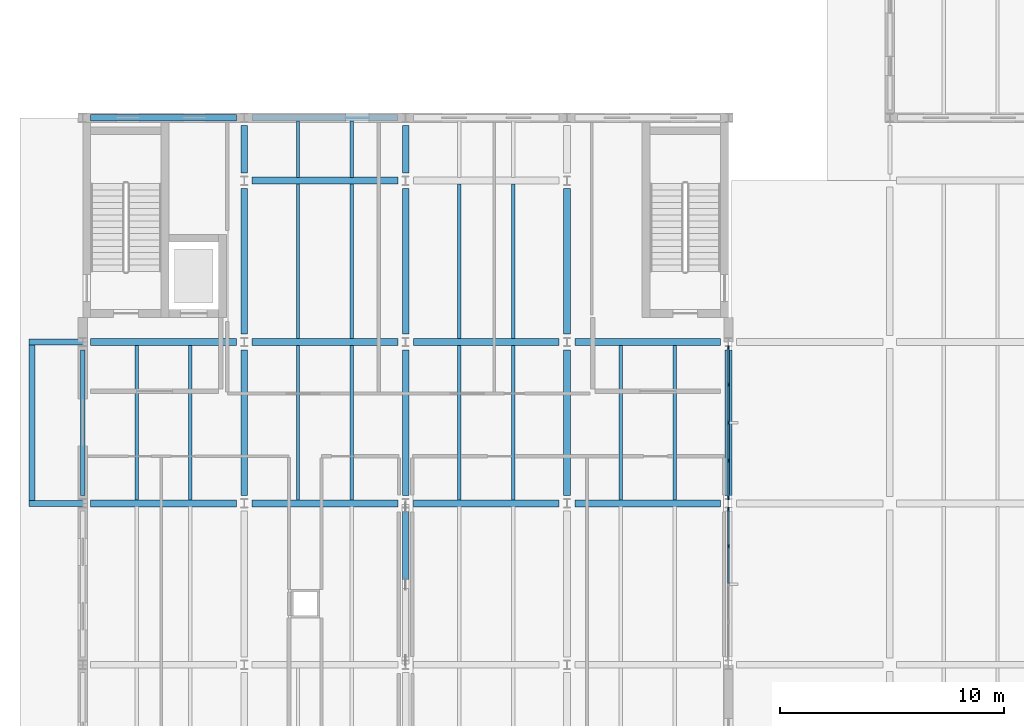
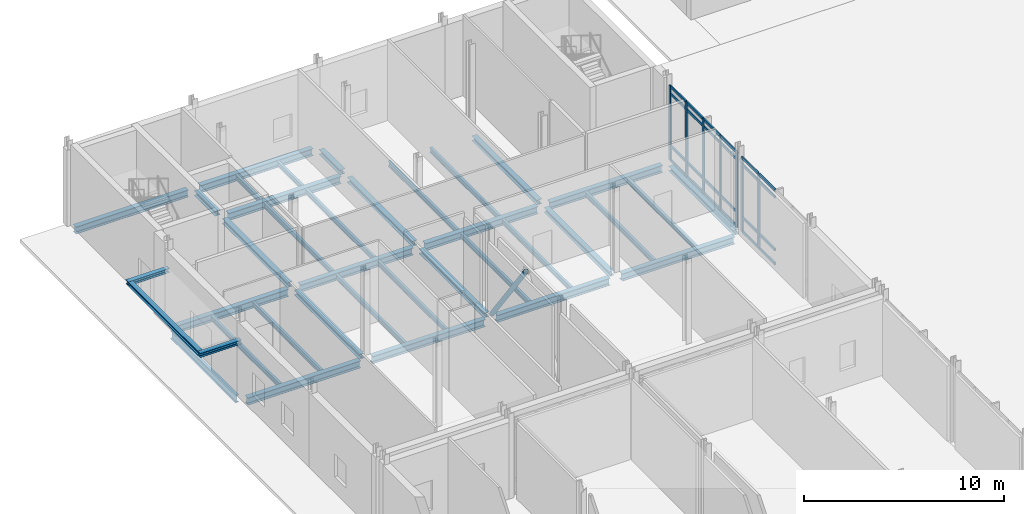
# One storey, part 29 of 89: 38 beams, 32 members, 2 elements without a shape of their own.
"""IFC4 building model written with IfcOpenShell, lengths in metres."""

from ifc_helpers import new_model, si_unit, direction, frame, origin, origin_2d, place, context, subcontext, project, spatial, rectangle, hollow_circle, i_section, extrude, material, layer, layer_set, material_profile, profile_set, type_object, element, aggregate, save


model = new_model("IFC4")

# Units and contexts
model_context = context("Model", 3, precision=1e-05, world=origin(), true_north=direction((0.0, 1.0)))
body_context = subcontext(model_context, "Body", "Model", "MODEL_VIEW")
ifc_project = project(units=[si_unit("LENGTHUNIT", "METRE"), si_unit("AREAUNIT", "SQUARE_METRE"), si_unit("VOLUMEUNIT", "CUBIC_METRE"), si_unit("PLANEANGLEUNIT", "RADIAN"), si_unit("MASSUNIT", "GRAM", prefix="KILO")], contexts=[model_context])

# Site, building, storey
site_placement = place(None, origin())
site = spatial("IfcSite", under=ifc_project, at=site_placement, CompositionType="ELEMENT")
building_placement = place(site_placement, origin())
building = spatial("IfcBuilding", under=site, at=building_placement, Name="Zarrinpeak Specialist Clinic", CompositionType="ELEMENT")
storey_placement = place(building_placement, origin())
storey = spatial("IfcBuildingStorey", under=building, at=storey_placement, Name="L00", CompositionType="ELEMENT", Elevation=0.0)

# Beams
ifc_material_1 = material(Name="Steel S355", Category="steel")
ifc_material_profile_1 = material_profile(ifc_material_1, i_section(OverallWidth=0.260009765625, OverallDepth=0.25, WebThickness=0.007568359375, FlangeThickness=0.012451171875, FilletRadius=0.02392578125, at=origin_2d()), Name="HEA 260")
ifc_profile_set_1 = profile_set([ifc_material_profile_1], Name="Steel S355")
beam_type_1 = type_object("IfcBeamType", Name="BM-HEA260", PredefinedType="BEAM", material=ifc_profile_set_1)
for number, where, z_axis, x_axis, name in (
    (1, (0.0, 64.800048828125, 3.27490234375), (-1.0, 0.0, 0.0), (0.0, -1.0, 0.0), "V5 Ambulance Drop-Off Entrance Canopy Cantilever Bracket Beam 12"),
    (2, (0.0, 72.0, 3.27490234375), (-1.0, 0.0, 0.0), (0.0, -1.0, 0.0), "V5 Ambulance Drop-Off Entrance Canopy Cantilever Bracket Beam 13"),
):
    element("IfcBeam", number, at=place(storey_placement, frame(where, z_axis=z_axis, x_axis=x_axis)), inside=storey, type_object=beam_type_1, Name=name, PredefinedType="BEAM", context=body_context, shape_type="SweptSolid", body=[
        extrude(i_section(OverallWidth=0.260009765625, OverallDepth=0.25, WebThickness=0.007568359375, FlangeThickness=0.012451171875, FilletRadius=0.02392578125, at=origin_2d()), origin(), (0.0, 0.0, 1.0), 2.39990234375),
    ])
beam_1_placement = place(storey_placement, frame((-2.27001953125, 64.929931640625, 3.27490234375), z_axis=(0.0, 1.0, 0.0), x_axis=(-1.0, 0.0, 0.0)))
element("IfcBeam", 3, at=beam_1_placement, inside=storey, type_object=beam_type_1, Name="V5 Ambulance Drop-Off Entrance Canopy Front Edge Tie Beam 14", PredefinedType="BEAM", context=body_context, shape_type="SweptSolid", body=[
    extrude(i_section(OverallWidth=0.260009765625, OverallDepth=0.25, WebThickness=0.007568359375, FlangeThickness=0.012451171875, FilletRadius=0.02392578125, at=origin_2d()), origin(), (0.0, 0.0, 1.0), 6.940185546875),
])
ifc_material_profile_2 = material_profile(ifc_material_1, i_section(OverallWidth=0.300048828125, OverallDepth=0.2900390625, WebThickness=0.008544921875, FlangeThickness=0.013916015625, FilletRadius=0.027099609375, at=origin_2d()), Name="HEA 300")
ifc_profile_set_2 = profile_set([ifc_material_profile_2], Name="Steel S355")
beam_type_2 = type_object("IfcBeamType", Name="BM-HEA300", PredefinedType="BEAM", material=ifc_profile_set_2)
for number, where, z_axis, x_axis, name in (
    (4, (7.199951171875, 65.14794921875, -0.405029296875), (0.0, 1.0, 0.0), (-1.0, 0.0, 0.0), "L00 Primary Beam BM-L00-Y0227"),
    (5, (7.199951171875, 72.347900390625, -0.405029296875), (0.0, 1.0, 0.0), (-1.0, 0.0, 0.0), "L00 Primary Beam BM-L00-Y0228"),
):
    element("IfcBeam", number, at=place(storey_placement, frame(where, z_axis=z_axis, x_axis=x_axis)), inside=storey, type_object=beam_type_2, Name=name, PredefinedType="BEAM", context=body_context, shape_type="SweptSolid", body=[
        extrude(i_section(OverallWidth=0.300048828125, OverallDepth=0.2900390625, WebThickness=0.008544921875, FlangeThickness=0.013916015625, FilletRadius=0.027099609375, at=origin_2d()), origin(), (0.0, 0.0, 1.0), 6.504150390625),
    ])
beam_2_placement = place(storey_placement, frame((7.199951171875, 79.548095703125, -0.405029296875), z_axis=(0.0, 1.0, 0.0), x_axis=(-1.0, 0.0, 0.0)))
element("IfcBeam", 6, at=beam_2_placement, inside=storey, type_object=beam_type_2, Name="L00 Primary Beam BM-L00-Y0229", PredefinedType="BEAM", context=body_context, shape_type="SweptSolid", body=[
    extrude(i_section(OverallWidth=0.300048828125, OverallDepth=0.2900390625, WebThickness=0.008544921875, FlangeThickness=0.013916015625, FilletRadius=0.027099609375, at=origin_2d()), origin(), (0.0, 0.0, 1.0), 2.10400390625),
])
for number, where, z_axis, x_axis, name in (
    (7, (14.39990234375, 65.14794921875, -0.405029296875), (0.0, 1.0, 0.0), (-1.0, 0.0, 0.0), "L00 Primary Beam BM-L00-Y0239"),
    (8, (14.39990234375, 72.347900390625, -0.405029296875), (0.0, 1.0, 0.0), (-1.0, 0.0, 0.0), "L00 Primary Beam BM-L00-Y0240"),
):
    element("IfcBeam", number, at=place(storey_placement, frame(where, z_axis=z_axis, x_axis=x_axis)), inside=storey, type_object=beam_type_2, Name=name, PredefinedType="BEAM", context=body_context, shape_type="SweptSolid", body=[
        extrude(i_section(OverallWidth=0.300048828125, OverallDepth=0.2900390625, WebThickness=0.008544921875, FlangeThickness=0.013916015625, FilletRadius=0.027099609375, at=origin_2d()), origin(), (0.0, 0.0, 1.0), 6.504150390625),
    ])
beam_3_placement = place(storey_placement, frame((14.39990234375, 79.548095703125, -0.405029296875), z_axis=(0.0, 1.0, 0.0), x_axis=(-1.0, 0.0, 0.0)))
element("IfcBeam", 9, at=beam_3_placement, inside=storey, type_object=beam_type_2, Name="L00 Primary Beam BM-L00-Y0241", PredefinedType="BEAM", context=body_context, shape_type="SweptSolid", body=[
    extrude(i_section(OverallWidth=0.300048828125, OverallDepth=0.2900390625, WebThickness=0.008544921875, FlangeThickness=0.013916015625, FilletRadius=0.027099609375, at=origin_2d()), origin(), (0.0, 0.0, 1.0), 2.10400390625),
])
for number, where, z_axis, x_axis, name in (
    (10, (21.60009765625, 65.14794921875, -0.405029296875), (0.0, 1.0, 0.0), (-1.0, 0.0, 0.0), "L00 Primary Beam BM-L00-Y0251"),
    (11, (21.60009765625, 72.347900390625, -0.405029296875), (0.0, 1.0, 0.0), (-1.0, 0.0, 0.0), "L00 Primary Beam BM-L00-Y0252"),
    (12, (28.800048828125, 65.14794921875, -0.405029296875), (0.0, 1.0, 0.0), (-1.0, 0.0, 0.0), "L00 Primary Beam BM-L00-Y0260"),
):
    element("IfcBeam", number, at=place(storey_placement, frame(where, z_axis=z_axis, x_axis=x_axis)), inside=storey, type_object=beam_type_2, Name=name, PredefinedType="BEAM", context=body_context, shape_type="SweptSolid", body=[
        extrude(i_section(OverallWidth=0.300048828125, OverallDepth=0.2900390625, WebThickness=0.008544921875, FlangeThickness=0.013916015625, FilletRadius=0.027099609375, at=origin_2d()), origin(), (0.0, 0.0, 1.0), 6.504150390625),
    ])
ifc_material_profile_3 = material_profile(ifc_material_1, i_section(OverallWidth=0.300048828125, OverallDepth=0.43994140625, WebThickness=0.011474609375, FlangeThickness=0.02099609375, FilletRadius=0.027099609375, at=origin_2d()), Name="HEA 450")
ifc_profile_set_3 = profile_set([ifc_material_profile_3], Name="Steel S355")
beam_type_3 = type_object("IfcBeamType", Name="BM-HEA450", PredefinedType="BEAM", material=ifc_profile_set_3)
beam_4_placement = place(storey_placement, frame((0.347900390625, 64.800048828125, -0.47998046875), z_axis=(1.0, 0.0, 0.0), x_axis=(0.0, 1.0, 0.0)))
element("IfcBeam", 13, at=beam_4_placement, inside=storey, type_object=beam_type_3, Name="L00 Primary Floor Girder BM-L00-X0144", PredefinedType="BEAM", context=body_context, shape_type="SweptSolid", body=[
    extrude(i_section(OverallWidth=0.300048828125, OverallDepth=0.43994140625, WebThickness=0.011474609375, FlangeThickness=0.02099609375, FilletRadius=0.027099609375, at=origin_2d()), origin(), (0.0, 0.0, 1.0), 6.504150390625),
])
for number, where, z_axis, x_axis, name in (
    (14, (7.548095703125, 64.800048828125, -0.47998046875), (1.0, 0.0, 0.0), (0.0, 1.0, 0.0), "L00 Primary Floor Girder BM-L00-X0145"),
    (15, (14.748046875, 64.800048828125, -0.47998046875), (1.0, 0.0, 0.0), (0.0, 1.0, 0.0), "L00 Primary Floor Girder BM-L00-X0146"),
    (16, (21.947998046875, 64.800048828125, -0.47998046875), (1.0, 0.0, 0.0), (0.0, 1.0, 0.0), "L00 Primary Floor Girder BM-L00-X0147"),
):
    element("IfcBeam", number, at=place(storey_placement, frame(where, z_axis=z_axis, x_axis=x_axis)), inside=storey, type_object=beam_type_3, Name=name, PredefinedType="BEAM", context=body_context, shape_type="SweptSolid", body=[
        extrude(i_section(OverallWidth=0.300048828125, OverallDepth=0.43994140625, WebThickness=0.011474609375, FlangeThickness=0.02099609375, FilletRadius=0.027099609375, at=origin_2d()), origin(), (0.0, 0.0, 1.0), 6.50390625),
    ])
beam_5_placement = place(storey_placement, frame((0.347900390625, 72.0, -0.47998046875), z_axis=(1.0, 0.0, 0.0), x_axis=(0.0, 1.0, 0.0)))
element("IfcBeam", 17, at=beam_5_placement, inside=storey, type_object=beam_type_3, Name="L00 Primary Floor Girder BM-L00-X0160", PredefinedType="BEAM", context=body_context, shape_type="SweptSolid", body=[
    extrude(i_section(OverallWidth=0.300048828125, OverallDepth=0.43994140625, WebThickness=0.011474609375, FlangeThickness=0.02099609375, FilletRadius=0.027099609375, at=origin_2d()), origin(), (0.0, 0.0, 1.0), 6.504150390625),
])
for number, where, z_axis, x_axis, name in (
    (18, (7.548095703125, 72.0, -0.47998046875), (1.0, 0.0, 0.0), (0.0, 1.0, 0.0), "L00 Primary Floor Girder BM-L00-X0161"),
    (19, (14.748046875, 72.0, -0.47998046875), (1.0, 0.0, 0.0), (0.0, 1.0, 0.0), "L00 Primary Floor Girder BM-L00-X0162"),
    (20, (21.947998046875, 72.0, -0.47998046875), (1.0, 0.0, 0.0), (0.0, 1.0, 0.0), "L00 Primary Floor Girder BM-L00-X0163"),
    (21, (7.548095703125, 79.199951171875, -0.47998046875), (1.0, 0.0, 0.0), (0.0, 1.0, 0.0), "L00 Primary Floor Girder BM-L00-X0176"),
):
    element("IfcBeam", number, at=place(storey_placement, frame(where, z_axis=z_axis, x_axis=x_axis)), inside=storey, type_object=beam_type_3, Name=name, PredefinedType="BEAM", context=body_context, shape_type="SweptSolid", body=[
        extrude(i_section(OverallWidth=0.300048828125, OverallDepth=0.43994140625, WebThickness=0.011474609375, FlangeThickness=0.02099609375, FilletRadius=0.027099609375, at=origin_2d()), origin(), (0.0, 0.0, 1.0), 6.50390625),
    ])
beam_6_placement = place(storey_placement, frame((0.347900390625, 82.0, -0.47998046875), z_axis=(1.0, 0.0, 0.0), x_axis=(0.0, 1.0, 0.0)))
element("IfcBeam", 22, at=beam_6_placement, inside=storey, type_object=beam_type_3, Name="L00 Primary Floor Girder BM-L00-X0185", PredefinedType="BEAM", context=body_context, shape_type="SweptSolid", body=[
    extrude(i_section(OverallWidth=0.300048828125, OverallDepth=0.43994140625, WebThickness=0.011474609375, FlangeThickness=0.02099609375, FilletRadius=0.027099609375, at=origin_2d()), origin(), (0.0, 0.0, 1.0), 6.504150390625),
])
beam_7_placement = place(storey_placement, frame((7.548095703125, 82.0, -0.47998046875), z_axis=(1.0, 0.0, 0.0), x_axis=(0.0, 1.0, 0.0)))
element("IfcBeam", 23, at=beam_7_placement, inside=storey, type_object=beam_type_3, Name="L00 Primary Floor Girder BM-L00-X0186", PredefinedType="BEAM", context=body_context, shape_type="SweptSolid", body=[
    extrude(i_section(OverallWidth=0.300048828125, OverallDepth=0.43994140625, WebThickness=0.011474609375, FlangeThickness=0.02099609375, FilletRadius=0.027099609375, at=origin_2d()), origin(), (0.0, 0.0, 1.0), 6.50390625),
])
ifc_material_profile_4 = material_profile(ifc_material_1, i_section(OverallWidth=0.14990234375, OverallDepth=0.300048828125, WebThickness=0.007080078125, FlangeThickness=0.0107421875, FilletRadius=0.014892578125, at=origin_2d()), Name="IPE 300")
ifc_profile_set_4 = profile_set([ifc_material_profile_4], Name="Steel S355")
beam_type_4 = type_object("IfcBeamType", Name="BM-JST300", PredefinedType="JOIST", material=ifc_profile_set_4)
for number, where, z_axis, x_axis, name in (
    (24, (2.39990234375, 64.947998046875, -0.409912109375), (0.0, 1.0, 0.0), (-1.0, 0.0, 0.0), "L00 Composite Floor Joist JST-L00-0545"),
    (25, (4.800048828125, 64.947998046875, -0.409912109375), (0.0, 1.0, 0.0), (-1.0, 0.0, 0.0), "L00 Composite Floor Joist JST-L00-0546"),
    (26, (9.60009765625, 64.947998046875, -0.409912109375), (0.0, 1.0, 0.0), (-1.0, 0.0, 0.0), "L00 Composite Floor Joist JST-L00-0550"),
    (27, (12.0, 64.947998046875, -0.409912109375), (0.0, 1.0, 0.0), (-1.0, 0.0, 0.0), "L00 Composite Floor Joist JST-L00-0551"),
    (28, (9.60009765625, 72.14794921875, -0.409912109375), (0.0, 1.0, 0.0), (-1.0, 0.0, 0.0), "L00 Composite Floor Joist JST-L00-0552"),
    (29, (12.0, 72.14794921875, -0.409912109375), (0.0, 1.0, 0.0), (-1.0, 0.0, 0.0), "L00 Composite Floor Joist JST-L00-0553"),
):
    element("IfcBeam", number, at=place(storey_placement, frame(where, z_axis=z_axis, x_axis=x_axis)), inside=storey, type_object=beam_type_4, Name=name, PredefinedType="JOIST", context=body_context, shape_type="SweptSolid", body=[
        extrude(i_section(OverallWidth=0.14990234375, OverallDepth=0.300048828125, WebThickness=0.007080078125, FlangeThickness=0.0107421875, FilletRadius=0.014892578125, at=origin_2d()), origin(), (0.0, 0.0, 1.0), 6.904052734375),
    ])
for number, where, z_axis, x_axis, name in (
    (30, (9.60009765625, 79.347900390625, -0.409912109375), (0.0, 1.0, 0.0), (-1.0, 0.0, 0.0), "L00 Composite Floor Joist JST-L00-0554"),
    (31, (12.0, 79.347900390625, -0.409912109375), (0.0, 1.0, 0.0), (-1.0, 0.0, 0.0), "L00 Composite Floor Joist JST-L00-0555"),
):
    element("IfcBeam", number, at=place(storey_placement, frame(where, z_axis=z_axis, x_axis=x_axis)), inside=storey, type_object=beam_type_4, Name=name, PredefinedType="JOIST", context=body_context, shape_type="SweptSolid", body=[
        extrude(i_section(OverallWidth=0.14990234375, OverallDepth=0.300048828125, WebThickness=0.007080078125, FlangeThickness=0.0107421875, FilletRadius=0.014892578125, at=origin_2d()), origin(), (0.0, 0.0, 1.0), 2.504150390625),
    ])
for number, where, z_axis, x_axis, name in (
    (32, (16.800048828125, 64.947998046875, -0.409912109375), (0.0, 1.0, 0.0), (-1.0, 0.0, 0.0), "L00 Composite Floor Joist JST-L00-0560"),
    (33, (19.199951171875, 64.947998046875, -0.409912109375), (0.0, 1.0, 0.0), (-1.0, 0.0, 0.0), "L00 Composite Floor Joist JST-L00-0561"),
    (34, (16.800048828125, 72.14794921875, -0.409912109375), (0.0, 1.0, 0.0), (-1.0, 0.0, 0.0), "L00 Composite Floor Joist JST-L00-0562"),
    (35, (19.199951171875, 72.14794921875, -0.409912109375), (0.0, 1.0, 0.0), (-1.0, 0.0, 0.0), "L00 Composite Floor Joist JST-L00-0563"),
    (36, (24.0, 64.947998046875, -0.409912109375), (0.0, 1.0, 0.0), (-1.0, 0.0, 0.0), "L00 Composite Floor Joist JST-L00-0570"),
    (37, (26.39990234375, 64.947998046875, -0.409912109375), (0.0, 1.0, 0.0), (-1.0, 0.0, 0.0), "L00 Composite Floor Joist JST-L00-0571"),
):
    element("IfcBeam", number, at=place(storey_placement, frame(where, z_axis=z_axis, x_axis=x_axis)), inside=storey, type_object=beam_type_4, Name=name, PredefinedType="JOIST", context=body_context, shape_type="SweptSolid", body=[
        extrude(i_section(OverallWidth=0.14990234375, OverallDepth=0.300048828125, WebThickness=0.007080078125, FlangeThickness=0.0107421875, FilletRadius=0.014892578125, at=origin_2d()), origin(), (0.0, 0.0, 1.0), 6.904052734375),
    ])
ifc_material_profile_5 = material_profile(ifc_material_1, i_section(OverallWidth=0.18994140625, OverallDepth=0.449951171875, WebThickness=0.009521484375, FlangeThickness=0.0146484375, FilletRadius=0.02099609375, at=origin_2d()), Name="IPE 450")
ifc_profile_set_5 = profile_set([ifc_material_profile_5], Name="Steel S355")
beam_type_5 = type_object("IfcBeamType", Name="BM-SP450", PredefinedType="SPANDREL", material=ifc_profile_set_5)
beam_8_placement = place(storey_placement, frame((0.0, 65.14794921875, -0.485107421875), z_axis=(0.0, 1.0, 0.0), x_axis=(-1.0, 0.0, 0.0)))
element("IfcBeam", 38, at=beam_8_placement, inside=storey, type_object=beam_type_5, Name="L00 Perimeter Spandrel Beam BM-L00-Y0217", PredefinedType="SPANDREL", context=body_context, shape_type="SweptSolid", body=[
    extrude(i_section(OverallWidth=0.18994140625, OverallDepth=0.449951171875, WebThickness=0.009521484375, FlangeThickness=0.0146484375, FilletRadius=0.02099609375, at=origin_2d()), origin(), (0.0, 0.0, 1.0), 6.504150390625),
])

# Curtain wall, members
ifc_material_2 = material(Name="Anodised Aluminium Alloy 6063-T6", Category="aluminium")
ifc_layer = layer(ifc_material_2, 0.179931640625)
ifc_layer_set = layer_set([ifc_layer], Name="Anodised Aluminium Alloy 6063-T6")
curtain_wall_type = type_object("IfcCurtainWallType", Name="CW-COURT", PredefinedType="NOTDEFINED", material=ifc_layer_set)
curtain_wall_1_placement = place(storey_placement, origin())
curtain_wall_1 = element("IfcCurtainWall", 39, at=curtain_wall_1_placement, inside=storey, type_object=curtain_wall_type, Name="L00 V5 Unitised Curtain Wall CW-L00-V5-121", PredefinedType="NOTDEFINED")
ifc_material_profile_6 = material_profile(ifc_material_2, rectangle(XDim=0.074951171875, YDim=0.179931640625, at=origin_2d()), Name="ALU 75x180")
ifc_profile_set_6 = profile_set([ifc_material_profile_6], Name="Anodised Aluminium Alloy 6063-T6")
member_type_1 = type_object("IfcMemberType", Name="CWM-75", PredefinedType="MULLION", material=ifc_profile_set_6)
member_1_placement = place(storey_placement, frame((28.800048828125, 62.887451171875, 0.0), z_axis=(0.0, 0.0, 1.0), x_axis=(-1.0, 0.0, 0.0)))
member_1 = element("IfcMember", 40, at=member_1_placement, type_object=member_type_1, Name="CW-01 mullion 4", PredefinedType="MULLION", context=body_context, shape_type="SweptSolid", body=[
    extrude(rectangle(XDim=0.074951171875, YDim=0.179931640625, at=origin_2d()), origin(), (0.0, 0.0, 1.0), 4.56494140625),
])
member_2_placement = place(storey_placement, frame((28.800048828125, 64.53759765625, 0.0), z_axis=(0.0, 0.0, 1.0), x_axis=(-1.0, 0.0, 0.0)))
member_2 = element("IfcMember", 41, at=member_2_placement, type_object=member_type_1, Name="CW-01 mullion 5", PredefinedType="MULLION", context=body_context, shape_type="SweptSolid", body=[
    extrude(rectangle(XDim=0.074951171875, YDim=0.179931640625, at=origin_2d()), origin(), (0.0, 0.0, 1.0), 4.56494140625),
])

curtain_wall_2_placement = place(storey_placement, origin())
curtain_wall_2 = element("IfcCurtainWall", 42, at=curtain_wall_2_placement, inside=storey, type_object=curtain_wall_type, Name="L00 V5 Unitised Curtain Wall CW-L00-V5-122", PredefinedType="NOTDEFINED")
member_3_placement = place(storey_placement, frame((28.800048828125, 65.0625, 0.0), z_axis=(0.0, 0.0, 1.0), x_axis=(-1.0, 0.0, 0.0)))
member_3 = element("IfcMember", 43, at=member_3_placement, type_object=member_type_1, Name="CW-01 mullion 1", PredefinedType="MULLION", context=body_context, shape_type="SweptSolid", body=[
    extrude(rectangle(XDim=0.074951171875, YDim=0.179931640625, at=origin_2d()), origin(), (0.0, 0.0, 1.0), 4.56494140625),
])
member_4_placement = place(storey_placement, frame((28.800048828125, 66.71240234375, 0.0), z_axis=(0.0, 0.0, 1.0), x_axis=(-1.0, 0.0, 0.0)))
member_4 = element("IfcMember", 44, at=member_4_placement, type_object=member_type_1, Name="CW-01 mullion 2", PredefinedType="MULLION", context=body_context, shape_type="SweptSolid", body=[
    extrude(rectangle(XDim=0.074951171875, YDim=0.179931640625, at=origin_2d()), origin(), (0.0, 0.0, 1.0), 4.56494140625),
])
member_5_placement = place(storey_placement, frame((28.800048828125, 68.39990234375, 0.0), z_axis=(0.0, 0.0, 1.0), x_axis=(-1.0, 0.0, 0.0)))
member_5 = element("IfcMember", 45, at=member_5_placement, type_object=member_type_1, Name="CW-01 mullion 3", PredefinedType="MULLION", context=body_context, shape_type="SweptSolid", body=[
    extrude(rectangle(XDim=0.074951171875, YDim=0.179931640625, at=origin_2d()), origin(), (0.0, 0.0, 1.0), 4.56494140625),
])
member_6_placement = place(storey_placement, frame((28.800048828125, 70.08740234375, 0.0), z_axis=(0.0, 0.0, 1.0), x_axis=(-1.0, 0.0, 0.0)))
member_6 = element("IfcMember", 46, at=member_6_placement, type_object=member_type_1, Name="CW-01 mullion 4", PredefinedType="MULLION", context=body_context, shape_type="SweptSolid", body=[
    extrude(rectangle(XDim=0.074951171875, YDim=0.179931640625, at=origin_2d()), origin(), (0.0, 0.0, 1.0), 4.56494140625),
])
member_7_placement = place(storey_placement, frame((28.800048828125, 71.737548828125, 0.0), z_axis=(0.0, 0.0, 1.0), x_axis=(-1.0, 0.0, 0.0)))
member_7 = element("IfcMember", 47, at=member_7_placement, type_object=member_type_1, Name="CW-01 mullion 5", PredefinedType="MULLION", context=body_context, shape_type="SweptSolid", body=[
    extrude(rectangle(XDim=0.074951171875, YDim=0.179931640625, at=origin_2d()), origin(), (0.0, 0.0, 1.0), 4.56494140625),
])

# Member
ifc_material_profile_7 = material_profile(ifc_material_2, rectangle(XDim=0.074951171875, YDim=0.159912109375, at=origin_2d()), Name="ALU 75x160")
ifc_profile_set_7 = profile_set([ifc_material_profile_7], Name="Anodised Aluminium Alloy 6063-T6")
member_type_2 = type_object("IfcMemberType", Name="CWT-75", PredefinedType="USERDEFINED", material=ifc_profile_set_7)
member_8_placement = place(storey_placement, frame((28.800048828125, 61.237548828125, 0.03759765625), z_axis=(0.0, 1.0, 0.0), x_axis=(-1.0, 0.0, 0.0)))
member_8 = element("IfcMember", 48, at=member_8_placement, type_object=member_type_2, Name="CW-01 transom 3.1", ObjectType="TRANSOM", PredefinedType="USERDEFINED", context=body_context, shape_type="SweptSolid", body=[
    extrude(rectangle(XDim=0.074951171875, YDim=0.159912109375, at=origin_2d()), origin(), (0.0, 0.0, 1.0), 1.612548828125),
])

member_9_placement = place(storey_placement, frame((28.800048828125, 61.237548828125, 0.89990234375), z_axis=(0.0, 1.0, 0.0), x_axis=(-1.0, 0.0, 0.0)))
member_9 = element("IfcMember", 49, at=member_9_placement, type_object=member_type_2, Name="CW-01 transom 3.2", ObjectType="TRANSOM", PredefinedType="USERDEFINED", context=body_context, shape_type="SweptSolid", body=[
    extrude(rectangle(XDim=0.074951171875, YDim=0.159912109375, at=origin_2d()), origin(), (0.0, 0.0, 1.0), 1.612548828125),
])

member_10_placement = place(storey_placement, frame((28.800048828125, 61.237548828125, 4.114990234375), z_axis=(0.0, 1.0, 0.0), x_axis=(-1.0, 0.0, 0.0)))
member_10 = element("IfcMember", 50, at=member_10_placement, type_object=member_type_2, Name="CW-01 transom 3.3", ObjectType="TRANSOM", PredefinedType="USERDEFINED", context=body_context, shape_type="SweptSolid", body=[
    extrude(rectangle(XDim=0.074951171875, YDim=0.159912109375, at=origin_2d()), origin(), (0.0, 0.0, 1.0), 1.612548828125),
])

member_11_placement = place(storey_placement, frame((28.800048828125, 61.237548828125, 4.527587890625), z_axis=(0.0, 1.0, 0.0), x_axis=(-1.0, 0.0, 0.0)))
member_11 = element("IfcMember", 51, at=member_11_placement, type_object=member_type_2, Name="CW-01 transom 3.4", ObjectType="TRANSOM", PredefinedType="USERDEFINED", context=body_context, shape_type="SweptSolid", body=[
    extrude(rectangle(XDim=0.074951171875, YDim=0.159912109375, at=origin_2d()), origin(), (0.0, 0.0, 1.0), 1.612548828125),
])

member_12_placement = place(storey_placement, frame((28.800048828125, 62.925048828125, 0.03759765625), z_axis=(0.0, 1.0, 0.0), x_axis=(-1.0, 0.0, 0.0)))
member_12 = element("IfcMember", 52, at=member_12_placement, type_object=member_type_2, Name="CW-01 transom 4.1", ObjectType="TRANSOM", PredefinedType="USERDEFINED", context=body_context, shape_type="SweptSolid", body=[
    extrude(rectangle(XDim=0.074951171875, YDim=0.159912109375, at=origin_2d()), origin(), (0.0, 0.0, 1.0), 1.574951171875),
])

member_13_placement = place(storey_placement, frame((28.800048828125, 62.925048828125, 0.89990234375), z_axis=(0.0, 1.0, 0.0), x_axis=(-1.0, 0.0, 0.0)))
member_13 = element("IfcMember", 53, at=member_13_placement, type_object=member_type_2, Name="CW-01 transom 4.2", ObjectType="TRANSOM", PredefinedType="USERDEFINED", context=body_context, shape_type="SweptSolid", body=[
    extrude(rectangle(XDim=0.074951171875, YDim=0.159912109375, at=origin_2d()), origin(), (0.0, 0.0, 1.0), 1.574951171875),
])

member_14_placement = place(storey_placement, frame((28.800048828125, 62.925048828125, 4.114990234375), z_axis=(0.0, 1.0, 0.0), x_axis=(-1.0, 0.0, 0.0)))
member_14 = element("IfcMember", 54, at=member_14_placement, type_object=member_type_2, Name="CW-01 transom 4.3", ObjectType="TRANSOM", PredefinedType="USERDEFINED", context=body_context, shape_type="SweptSolid", body=[
    extrude(rectangle(XDim=0.074951171875, YDim=0.159912109375, at=origin_2d()), origin(), (0.0, 0.0, 1.0), 1.574951171875),
])

member_15_placement = place(storey_placement, frame((28.800048828125, 62.925048828125, 4.527587890625), z_axis=(0.0, 1.0, 0.0), x_axis=(-1.0, 0.0, 0.0)))
member_15 = element("IfcMember", 55, at=member_15_placement, type_object=member_type_2, Name="CW-01 transom 4.4", ObjectType="TRANSOM", PredefinedType="USERDEFINED", context=body_context, shape_type="SweptSolid", body=[
    extrude(rectangle(XDim=0.074951171875, YDim=0.159912109375, at=origin_2d()), origin(), (0.0, 0.0, 1.0), 1.574951171875),
])

aggregate(curtain_wall_1, [member_1, member_2, member_8, member_9, member_10, member_11, member_12, member_13, member_14, member_15])

member_16_placement = place(storey_placement, frame((28.800048828125, 65.10009765625, 0.03759765625), z_axis=(0.0, 1.0, 0.0), x_axis=(-1.0, 0.0, 0.0)))
member_16 = element("IfcMember", 56, at=member_16_placement, type_object=member_type_2, Name="CW-01 transom 1.1", ObjectType="TRANSOM", PredefinedType="USERDEFINED", context=body_context, shape_type="SweptSolid", body=[
    extrude(rectangle(XDim=0.074951171875, YDim=0.159912109375, at=origin_2d()), origin(), (0.0, 0.0, 1.0), 1.574951171875),
])

member_17_placement = place(storey_placement, frame((28.800048828125, 65.10009765625, 0.89990234375), z_axis=(0.0, 1.0, 0.0), x_axis=(-1.0, 0.0, 0.0)))
member_17 = element("IfcMember", 57, at=member_17_placement, type_object=member_type_2, Name="CW-01 transom 1.2", ObjectType="TRANSOM", PredefinedType="USERDEFINED", context=body_context, shape_type="SweptSolid", body=[
    extrude(rectangle(XDim=0.074951171875, YDim=0.159912109375, at=origin_2d()), origin(), (0.0, 0.0, 1.0), 1.574951171875),
])

member_18_placement = place(storey_placement, frame((28.800048828125, 65.10009765625, 4.114990234375), z_axis=(0.0, 1.0, 0.0), x_axis=(-1.0, 0.0, 0.0)))
member_18 = element("IfcMember", 58, at=member_18_placement, type_object=member_type_2, Name="CW-01 transom 1.3", ObjectType="TRANSOM", PredefinedType="USERDEFINED", context=body_context, shape_type="SweptSolid", body=[
    extrude(rectangle(XDim=0.074951171875, YDim=0.159912109375, at=origin_2d()), origin(), (0.0, 0.0, 1.0), 1.574951171875),
])

member_19_placement = place(storey_placement, frame((28.800048828125, 65.10009765625, 4.527587890625), z_axis=(0.0, 1.0, 0.0), x_axis=(-1.0, 0.0, 0.0)))
member_19 = element("IfcMember", 59, at=member_19_placement, type_object=member_type_2, Name="CW-01 transom 1.4", ObjectType="TRANSOM", PredefinedType="USERDEFINED", context=body_context, shape_type="SweptSolid", body=[
    extrude(rectangle(XDim=0.074951171875, YDim=0.159912109375, at=origin_2d()), origin(), (0.0, 0.0, 1.0), 1.574951171875),
])

member_20_placement = place(storey_placement, frame((28.800048828125, 66.75, 0.03759765625), z_axis=(0.0, 1.0, 0.0), x_axis=(-1.0, 0.0, 0.0)))
member_20 = element("IfcMember", 60, at=member_20_placement, type_object=member_type_2, Name="CW-01 transom 2.1", ObjectType="TRANSOM", PredefinedType="USERDEFINED", context=body_context, shape_type="SweptSolid", body=[
    extrude(rectangle(XDim=0.074951171875, YDim=0.159912109375, at=origin_2d()), origin(), (0.0, 0.0, 1.0), 1.612548828125),
])

member_21_placement = place(storey_placement, frame((28.800048828125, 66.75, 0.89990234375), z_axis=(0.0, 1.0, 0.0), x_axis=(-1.0, 0.0, 0.0)))
member_21 = element("IfcMember", 61, at=member_21_placement, type_object=member_type_2, Name="CW-01 transom 2.2", ObjectType="TRANSOM", PredefinedType="USERDEFINED", context=body_context, shape_type="SweptSolid", body=[
    extrude(rectangle(XDim=0.074951171875, YDim=0.159912109375, at=origin_2d()), origin(), (0.0, 0.0, 1.0), 1.612548828125),
])

member_22_placement = place(storey_placement, frame((28.800048828125, 66.75, 4.114990234375), z_axis=(0.0, 1.0, 0.0), x_axis=(-1.0, 0.0, 0.0)))
member_22 = element("IfcMember", 62, at=member_22_placement, type_object=member_type_2, Name="CW-01 transom 2.3", ObjectType="TRANSOM", PredefinedType="USERDEFINED", context=body_context, shape_type="SweptSolid", body=[
    extrude(rectangle(XDim=0.074951171875, YDim=0.159912109375, at=origin_2d()), origin(), (0.0, 0.0, 1.0), 1.612548828125),
])

member_23_placement = place(storey_placement, frame((28.800048828125, 66.75, 4.527587890625), z_axis=(0.0, 1.0, 0.0), x_axis=(-1.0, 0.0, 0.0)))
member_23 = element("IfcMember", 63, at=member_23_placement, type_object=member_type_2, Name="CW-01 transom 2.4", ObjectType="TRANSOM", PredefinedType="USERDEFINED", context=body_context, shape_type="SweptSolid", body=[
    extrude(rectangle(XDim=0.074951171875, YDim=0.159912109375, at=origin_2d()), origin(), (0.0, 0.0, 1.0), 1.612548828125),
])

member_24_placement = place(storey_placement, frame((28.800048828125, 68.4375, 0.03759765625), z_axis=(0.0, 1.0, 0.0), x_axis=(-1.0, 0.0, 0.0)))
member_24 = element("IfcMember", 64, at=member_24_placement, type_object=member_type_2, Name="CW-01 transom 3.1", ObjectType="TRANSOM", PredefinedType="USERDEFINED", context=body_context, shape_type="SweptSolid", body=[
    extrude(rectangle(XDim=0.074951171875, YDim=0.159912109375, at=origin_2d()), origin(), (0.0, 0.0, 1.0), 1.612548828125),
])

member_25_placement = place(storey_placement, frame((28.800048828125, 68.4375, 0.89990234375), z_axis=(0.0, 1.0, 0.0), x_axis=(-1.0, 0.0, 0.0)))
member_25 = element("IfcMember", 65, at=member_25_placement, type_object=member_type_2, Name="CW-01 transom 3.2", ObjectType="TRANSOM", PredefinedType="USERDEFINED", context=body_context, shape_type="SweptSolid", body=[
    extrude(rectangle(XDim=0.074951171875, YDim=0.159912109375, at=origin_2d()), origin(), (0.0, 0.0, 1.0), 1.612548828125),
])

member_26_placement = place(storey_placement, frame((28.800048828125, 68.4375, 4.114990234375), z_axis=(0.0, 1.0, 0.0), x_axis=(-1.0, 0.0, 0.0)))
member_26 = element("IfcMember", 66, at=member_26_placement, type_object=member_type_2, Name="CW-01 transom 3.3", ObjectType="TRANSOM", PredefinedType="USERDEFINED", context=body_context, shape_type="SweptSolid", body=[
    extrude(rectangle(XDim=0.074951171875, YDim=0.159912109375, at=origin_2d()), origin(), (0.0, 0.0, 1.0), 1.612548828125),
])

member_27_placement = place(storey_placement, frame((28.800048828125, 68.4375, 4.527587890625), z_axis=(0.0, 1.0, 0.0), x_axis=(-1.0, 0.0, 0.0)))
member_27 = element("IfcMember", 67, at=member_27_placement, type_object=member_type_2, Name="CW-01 transom 3.4", ObjectType="TRANSOM", PredefinedType="USERDEFINED", context=body_context, shape_type="SweptSolid", body=[
    extrude(rectangle(XDim=0.074951171875, YDim=0.159912109375, at=origin_2d()), origin(), (0.0, 0.0, 1.0), 1.612548828125),
])

member_28_placement = place(storey_placement, frame((28.800048828125, 70.125, 0.03759765625), z_axis=(0.0, 1.0, 0.0), x_axis=(-1.0, 0.0, 0.0)))
member_28 = element("IfcMember", 68, at=member_28_placement, type_object=member_type_2, Name="CW-01 transom 4.1", ObjectType="TRANSOM", PredefinedType="USERDEFINED", context=body_context, shape_type="SweptSolid", body=[
    extrude(rectangle(XDim=0.074951171875, YDim=0.159912109375, at=origin_2d()), origin(), (0.0, 0.0, 1.0), 1.574951171875),
])

member_29_placement = place(storey_placement, frame((28.800048828125, 70.125, 0.89990234375), z_axis=(0.0, 1.0, 0.0), x_axis=(-1.0, 0.0, 0.0)))
member_29 = element("IfcMember", 69, at=member_29_placement, type_object=member_type_2, Name="CW-01 transom 4.2", ObjectType="TRANSOM", PredefinedType="USERDEFINED", context=body_context, shape_type="SweptSolid", body=[
    extrude(rectangle(XDim=0.074951171875, YDim=0.159912109375, at=origin_2d()), origin(), (0.0, 0.0, 1.0), 1.574951171875),
])

member_30_placement = place(storey_placement, frame((28.800048828125, 70.125, 4.114990234375), z_axis=(0.0, 1.0, 0.0), x_axis=(-1.0, 0.0, 0.0)))
member_30 = element("IfcMember", 70, at=member_30_placement, type_object=member_type_2, Name="CW-01 transom 4.3", ObjectType="TRANSOM", PredefinedType="USERDEFINED", context=body_context, shape_type="SweptSolid", body=[
    extrude(rectangle(XDim=0.074951171875, YDim=0.159912109375, at=origin_2d()), origin(), (0.0, 0.0, 1.0), 1.574951171875),
])

member_31_placement = place(storey_placement, frame((28.800048828125, 70.125, 4.527587890625), z_axis=(0.0, 1.0, 0.0), x_axis=(-1.0, 0.0, 0.0)))
member_31 = element("IfcMember", 71, at=member_31_placement, type_object=member_type_2, Name="CW-01 transom 4.4", ObjectType="TRANSOM", PredefinedType="USERDEFINED", context=body_context, shape_type="SweptSolid", body=[
    extrude(rectangle(XDim=0.074951171875, YDim=0.159912109375, at=origin_2d()), origin(), (0.0, 0.0, 1.0), 1.574951171875),
])

aggregate(curtain_wall_2, [member_3, member_4, member_5, member_6, member_7, member_16, member_17, member_18, member_19, member_20, member_21, member_22, member_23, member_24, member_25, member_26, member_27, member_28, member_29, member_30, member_31])

ifc_material_profile_8 = material_profile(ifc_material_1, hollow_circle(Radius=0.136474609375, WallThickness=0.012451171875, at=origin_2d()), Name="CHS 273.0x12.5")
ifc_profile_set_8 = profile_set([ifc_material_profile_8], Name="Steel S355")
member_type_3 = type_object("IfcMemberType", Name="MB-BR273", PredefinedType="BRACE", material=ifc_profile_set_8)
member_32_placement = place(storey_placement, frame((14.39990234375, 64.60009765625, 0.0048828125), z_axis=(0.0, -0.590662917708, 0.806918408294), x_axis=(1.0, 0.0, 0.0)))
element("IfcMember", 72, at=member_32_placement, inside=storey, type_object=member_type_3, Name="V5 L00 Seismic Concentric Brace CBF-036", PredefinedType="BRACE", context=body_context, shape_type="SweptSolid", body=[
    extrude(hollow_circle(Radius=0.136474609375, WallThickness=0.012451171875, at=origin_2d()), origin(), (0.0, 0.0, 1.0), 5.756591796875),
])

save(model, "model.ifc")
